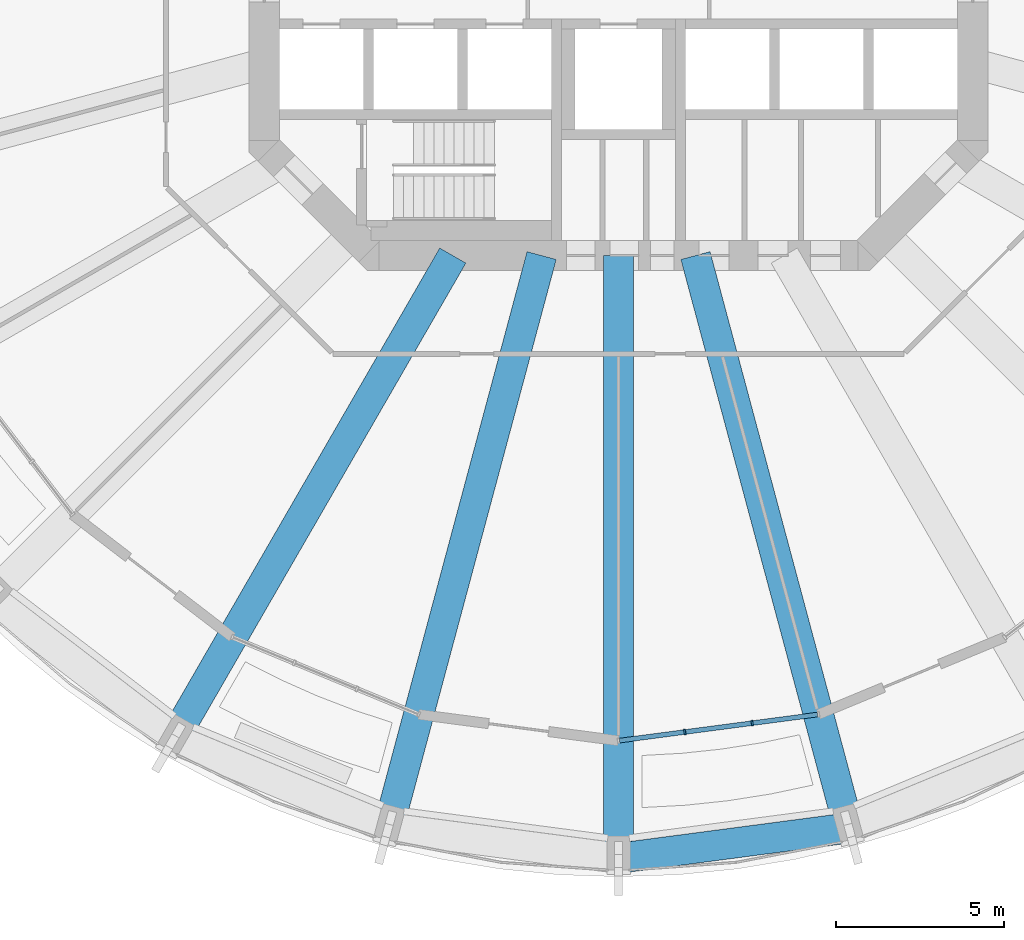
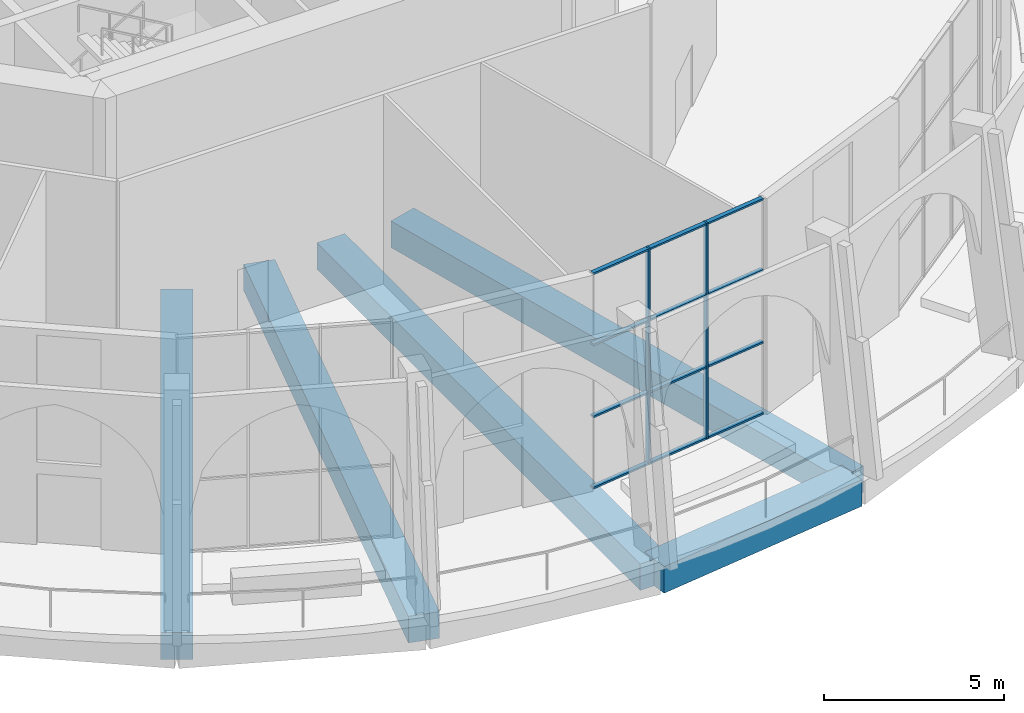
# One storey, part 3 of 19: 14 members, 5 beams, 1 element without a shape of its own.
"""IFC4 building model written with IfcOpenShell, lengths in metres."""

from ifc_helpers import new_model, si_unit, direction, frame, origin, origin_2d, place, context, subcontext, project, spatial, rectangle, extrude, material, material_profile, profile_set, type_object, element, aggregate, save


model = new_model("IFC4")

# Units and contexts
model_context = context("Model", 3, precision=1e-05, world=origin(), true_north=direction((0.0, 1.0)))
body_context = subcontext(model_context, "Body", "Model", "MODEL_VIEW")
ifc_project = project(units=[si_unit("LENGTHUNIT", "METRE"), si_unit("AREAUNIT", "SQUARE_METRE"), si_unit("VOLUMEUNIT", "CUBIC_METRE"), si_unit("PLANEANGLEUNIT", "RADIAN"), si_unit("MASSUNIT", "GRAM", prefix="KILO")], contexts=[model_context])

# Site, building, storey
site_placement = place(None, origin())
site = spatial("IfcSite", under=ifc_project, at=site_placement, CompositionType="ELEMENT")
building_placement = place(site_placement, origin())
building = spatial("IfcBuilding", under=site, at=building_placement, Name="Torre Triforio", CompositionType="ELEMENT")
storey_placement = place(building_placement, frame((0.0, 0.0, 79.0)))
storey = spatial("IfcBuildingStorey", under=building, at=storey_placement, Name="L17", CompositionType="ELEMENT", Elevation=79.0)

# Curtain wall, members
ifc_material_1 = material(Name="Aluminium mullion and transom frame with clear laminated glass", Category="aluminium")
curtain_wall_type = type_object("IfcCurtainWallType", Name="Sky garden conservatory wall ECW3", PredefinedType="NOTDEFINED", material=ifc_material_1)
curtain_wall_placement = place(storey_placement, origin())
curtain_wall = element("IfcCurtainWall", 1, at=curtain_wall_placement, inside=storey, type_object=curtain_wall_type, Name="Conservatory wall L17 bay 19", PredefinedType="NOTDEFINED")
ifc_material_2 = material(Name="Anodised aluminium extrusion", Category="aluminium")
ifc_material_profile_1 = material_profile(ifc_material_2, rectangle(XDim=0.159912109375, YDim=0.06005859375, at=origin_2d()), Name="ECW3 MULLION 60x160")
ifc_profile_set_1 = profile_set([ifc_material_profile_1], Name="Anodised aluminium extrusion")
member_type_1 = type_object("IfcMemberType", Name="ECW3 mullion 60 x 160", PredefinedType="MULLION", material=ifc_profile_set_1)
member_1_placement = place(storey_placement, frame((1.974365234375, -22.739990234375, 0.0), z_axis=(0.0, 0.0, 1.0), x_axis=(-0.130520630599, 0.991445593559, 0.0)))
member_1 = element("IfcMember", 2, at=member_1_placement, type_object=member_type_1, Name="ECW3 mullion 2", PredefinedType="MULLION", context=body_context, shape_type="SweptSolid", body=[
    extrude(rectangle(XDim=0.159912109375, YDim=0.06005859375, at=origin_2d()), origin(), (0.0, 0.0, 1.0), 7.320068359375),
])
member_2_placement = place(storey_placement, frame((3.978515625, -22.476318359375, 0.0), z_axis=(0.0, 0.0, 1.0), x_axis=(-0.130520630599, 0.991445593559, 0.0)))
member_2 = element("IfcMember", 3, at=member_2_placement, type_object=member_type_1, Name="ECW3 mullion 3", PredefinedType="MULLION", context=body_context, shape_type="SweptSolid", body=[
    extrude(rectangle(XDim=0.159912109375, YDim=0.06005859375, at=origin_2d()), origin(), (0.0, 0.0, 1.0), 7.320068359375),
])
ifc_material_profile_2 = material_profile(ifc_material_2, rectangle(XDim=0.139892578125, YDim=0.06005859375, at=origin_2d()), Name="ECW3 TRANSOM 60x140")
ifc_profile_set_2 = profile_set([ifc_material_profile_2], Name="Anodised aluminium extrusion")
member_type_2 = type_object("IfcMemberType", Name="ECW3 transom 60 x 140", PredefinedType="USERDEFINED", material=ifc_profile_set_2)
member_3_placement = place(storey_placement, frame((0.02978515625, -22.99609375, 0.030029296875), z_axis=(0.991437507186, 0.130582040663, 0.0), x_axis=(-0.130582040663, 0.991437507186, 0.0)))
member_3 = element("IfcMember", 4, at=member_3_placement, type_object=member_type_2, Name="ECW3 transom 1.1", ObjectType="TRANSOM", PredefinedType="USERDEFINED", context=body_context, shape_type="SweptSolid", body=[
    extrude(rectangle(XDim=0.139892578125, YDim=0.06005859375, at=origin_2d()), origin(), (0.0, 0.0, 1.0), 1.931396484375),
])
member_4_placement = place(storey_placement, frame((0.02978515625, -22.99609375, 2.43994140625), z_axis=(0.991437507186, 0.130582040663, 0.0), x_axis=(-0.130582040663, 0.991437507186, 0.0)))
member_4 = element("IfcMember", 5, at=member_4_placement, type_object=member_type_2, Name="ECW3 transom 1.2", ObjectType="TRANSOM", PredefinedType="USERDEFINED", context=body_context, shape_type="SweptSolid", body=[
    extrude(rectangle(XDim=0.139892578125, YDim=0.06005859375, at=origin_2d()), origin(), (0.0, 0.0, 1.0), 1.931396484375),
])
member_5_placement = place(storey_placement, frame((0.02978515625, -22.99609375, 4.8798828125), z_axis=(0.991437507186, 0.130582040663, 0.0), x_axis=(-0.130582040663, 0.991437507186, 0.0)))
member_5 = element("IfcMember", 6, at=member_5_placement, type_object=member_type_2, Name="ECW3 transom 1.3", ObjectType="TRANSOM", PredefinedType="USERDEFINED", context=body_context, shape_type="SweptSolid", body=[
    extrude(rectangle(XDim=0.139892578125, YDim=0.06005859375, at=origin_2d()), origin(), (0.0, 0.0, 1.0), 1.931396484375),
])
member_6_placement = place(storey_placement, frame((0.02978515625, -22.99609375, 7.2900390625), z_axis=(0.991437507186, 0.130582040663, 0.0), x_axis=(-0.130582040663, 0.991437507186, 0.0)))
member_6 = element("IfcMember", 7, at=member_6_placement, type_object=member_type_2, Name="ECW3 transom 1.4", ObjectType="TRANSOM", PredefinedType="USERDEFINED", context=body_context, shape_type="SweptSolid", body=[
    extrude(rectangle(XDim=0.139892578125, YDim=0.06005859375, at=origin_2d()), origin(), (0.0, 0.0, 1.0), 1.931396484375),
])
member_7_placement = place(storey_placement, frame((2.004150390625, -22.736083984375, 0.030029296875), z_axis=(0.991454719215, 0.130451292622, 0.0), x_axis=(-0.130451292622, 0.991454719215, 0.0)))
member_7 = element("IfcMember", 8, at=member_7_placement, type_object=member_type_2, Name="ECW3 transom 2.1", ObjectType="TRANSOM", PredefinedType="USERDEFINED", context=body_context, shape_type="SweptSolid", body=[
    extrude(rectangle(XDim=0.139892578125, YDim=0.06005859375, at=origin_2d()), origin(), (0.0, 0.0, 1.0), 1.96142578125),
])
member_8_placement = place(storey_placement, frame((2.004150390625, -22.736083984375, 2.43994140625), z_axis=(0.991454719215, 0.130451292622, 0.0), x_axis=(-0.130451292622, 0.991454719215, 0.0)))
member_8 = element("IfcMember", 9, at=member_8_placement, type_object=member_type_2, Name="ECW3 transom 2.2", ObjectType="TRANSOM", PredefinedType="USERDEFINED", context=body_context, shape_type="SweptSolid", body=[
    extrude(rectangle(XDim=0.139892578125, YDim=0.06005859375, at=origin_2d()), origin(), (0.0, 0.0, 1.0), 1.96142578125),
])
member_9_placement = place(storey_placement, frame((2.004150390625, -22.736083984375, 4.8798828125), z_axis=(0.991454719215, 0.130451292622, 0.0), x_axis=(-0.130451292622, 0.991454719215, 0.0)))
member_9 = element("IfcMember", 10, at=member_9_placement, type_object=member_type_2, Name="ECW3 transom 2.3", ObjectType="TRANSOM", PredefinedType="USERDEFINED", context=body_context, shape_type="SweptSolid", body=[
    extrude(rectangle(XDim=0.139892578125, YDim=0.06005859375, at=origin_2d()), origin(), (0.0, 0.0, 1.0), 1.96142578125),
])
member_10_placement = place(storey_placement, frame((2.004150390625, -22.736083984375, 7.2900390625), z_axis=(0.991454719215, 0.130451292622, 0.0), x_axis=(-0.130451292622, 0.991454719215, 0.0)))
member_10 = element("IfcMember", 11, at=member_10_placement, type_object=member_type_2, Name="ECW3 transom 2.4", ObjectType="TRANSOM", PredefinedType="USERDEFINED", context=body_context, shape_type="SweptSolid", body=[
    extrude(rectangle(XDim=0.139892578125, YDim=0.06005859375, at=origin_2d()), origin(), (0.0, 0.0, 1.0), 1.96142578125),
])
member_11_placement = place(storey_placement, frame((4.00830078125, -22.472412109375, 0.030029296875), z_axis=(0.991437507186, 0.130582040663, 0.0), x_axis=(-0.130582040663, 0.991437507186, 0.0)))
member_11 = element("IfcMember", 12, at=member_11_placement, type_object=member_type_2, Name="ECW3 transom 3.1", ObjectType="TRANSOM", PredefinedType="USERDEFINED", context=body_context, shape_type="SweptSolid", body=[
    extrude(rectangle(XDim=0.139892578125, YDim=0.06005859375, at=origin_2d()), origin(), (0.0, 0.0, 1.0), 1.931396484375),
])
member_12_placement = place(storey_placement, frame((4.00830078125, -22.472412109375, 2.43994140625), z_axis=(0.991437507186, 0.130582040663, 0.0), x_axis=(-0.130582040663, 0.991437507186, 0.0)))
member_12 = element("IfcMember", 13, at=member_12_placement, type_object=member_type_2, Name="ECW3 transom 3.2", ObjectType="TRANSOM", PredefinedType="USERDEFINED", context=body_context, shape_type="SweptSolid", body=[
    extrude(rectangle(XDim=0.139892578125, YDim=0.06005859375, at=origin_2d()), origin(), (0.0, 0.0, 1.0), 1.931396484375),
])
member_13_placement = place(storey_placement, frame((4.00830078125, -22.472412109375, 4.8798828125), z_axis=(0.991437507186, 0.130582040663, 0.0), x_axis=(-0.130582040663, 0.991437507186, 0.0)))
member_13 = element("IfcMember", 14, at=member_13_placement, type_object=member_type_2, Name="ECW3 transom 3.3", ObjectType="TRANSOM", PredefinedType="USERDEFINED", context=body_context, shape_type="SweptSolid", body=[
    extrude(rectangle(XDim=0.139892578125, YDim=0.06005859375, at=origin_2d()), origin(), (0.0, 0.0, 1.0), 1.931396484375),
])
member_14_placement = place(storey_placement, frame((4.00830078125, -22.472412109375, 7.2900390625), z_axis=(0.991437507186, 0.130582040663, 0.0), x_axis=(-0.130582040663, 0.991437507186, 0.0)))
member_14 = element("IfcMember", 15, at=member_14_placement, type_object=member_type_2, Name="ECW3 transom 3.4", ObjectType="TRANSOM", PredefinedType="USERDEFINED", context=body_context, shape_type="SweptSolid", body=[
    extrude(rectangle(XDim=0.139892578125, YDim=0.06005859375, at=origin_2d()), origin(), (0.0, 0.0, 1.0), 1.931396484375),
])
aggregate(curtain_wall, [member_1, member_2, member_3, member_4, member_5, member_6, member_7, member_8, member_9, member_10, member_11, member_12, member_13, member_14])

# Beams
ifc_material_3 = material(Name="Concrete C50", Category="concrete")
ifc_material_profile_3 = material_profile(ifc_material_3, rectangle(XDim=0.89990234375, YDim=0.89990234375, at=origin_2d()), Name="RC 900x900")
ifc_profile_set_3 = profile_set([ifc_material_profile_3], Name="Concrete C50")
beam_type_1 = type_object("IfcBeamType", Name="Radial beam RC 900x900 C50", PredefinedType="BEAM", material=ifc_profile_set_3)
beam_1_placement = place(storey_placement, frame((-4.936279296875, -8.550048828125, -0.72998046875), z_axis=(-0.500003345241, -0.8660234724, 0.0), x_axis=(0.8660234724, -0.500003345241, 0.0)))
element("IfcBeam", 16, at=beam_1_placement, inside=storey, type_object=beam_type_1, Name="BM.R.L17.16", PredefinedType="BEAM", context=body_context, shape_type="SweptSolid", body=[
    extrude(rectangle(XDim=0.89990234375, YDim=0.89990234375, at=origin_2d()), origin(), (0.0, 0.0, 1.0), 16.62744140625),
])
beam_2_placement = place(storey_placement, frame((-2.291015625, -8.550048828125, -0.72998046875), z_axis=(-0.258815374176, -0.965926809903, 0.0), x_axis=(0.965926809903, -0.258815374176, 0.0)))
element("IfcBeam", 17, at=beam_2_placement, inside=storey, type_object=beam_type_1, Name="BM.R.L17.17", PredefinedType="BEAM", context=body_context, shape_type="SweptSolid", body=[
    extrude(rectangle(XDim=0.89990234375, YDim=0.89990234375, at=origin_2d()), origin(), (0.0, 0.0, 1.0), 17.648193359375),
])
beam_3_placement = place(storey_placement, frame((0.0, -8.550048828125, -0.72998046875), z_axis=(0.0, -1.0, 0.0), x_axis=(1.0, 0.0, 0.0)))
element("IfcBeam", 18, at=beam_3_placement, inside=storey, type_object=beam_type_1, Name="BM.R.L17.18", PredefinedType="BEAM", context=body_context, shape_type="SweptSolid", body=[
    extrude(rectangle(XDim=0.89990234375, YDim=0.89990234375, at=origin_2d()), origin(), (0.0, 0.0, 1.0), 17.949951171875),
])
beam_4_placement = place(storey_placement, frame((2.291015625, -8.550048828125, -0.72998046875), z_axis=(0.258815374176, -0.965926809903, 0.0), x_axis=(0.965926809903, 0.258815374176, 0.0)))
element("IfcBeam", 19, at=beam_4_placement, inside=storey, type_object=beam_type_1, Name="BM.R.L17.19", PredefinedType="BEAM", context=body_context, shape_type="SweptSolid", body=[
    extrude(rectangle(XDim=0.89990234375, YDim=0.89990234375, at=origin_2d()), origin(), (0.0, 0.0, 1.0), 17.648193359375),
])
ifc_material_profile_4 = material_profile(ifc_material_3, rectangle(XDim=0.89990234375, YDim=0.89990234375, at=origin_2d()), Name="RC 900x900")
ifc_profile_set_4 = profile_set([ifc_material_profile_4], Name="Concrete C50")
beam_type_2 = type_object("IfcBeamType", Name="Spandrel beam RC 900x900 C50", PredefinedType="SPANDREL", material=ifc_profile_set_4)
beam_5_placement = place(storey_placement, frame((0.0, -26.5, -0.72998046875), z_axis=(0.991442639885, 0.130543064996, 0.0), x_axis=(-0.130543064996, 0.991442639885, 0.0)))
element("IfcBeam", 20, at=beam_5_placement, inside=storey, type_object=beam_type_2, Name="BM.S.L17.18", PredefinedType="SPANDREL", context=body_context, shape_type="SweptSolid", body=[
    extrude(rectangle(XDim=0.89990234375, YDim=0.89990234375, at=origin_2d()), origin(), (0.0, 0.0, 1.0), 6.917724609375),
])

save(model, "model.ifc")
